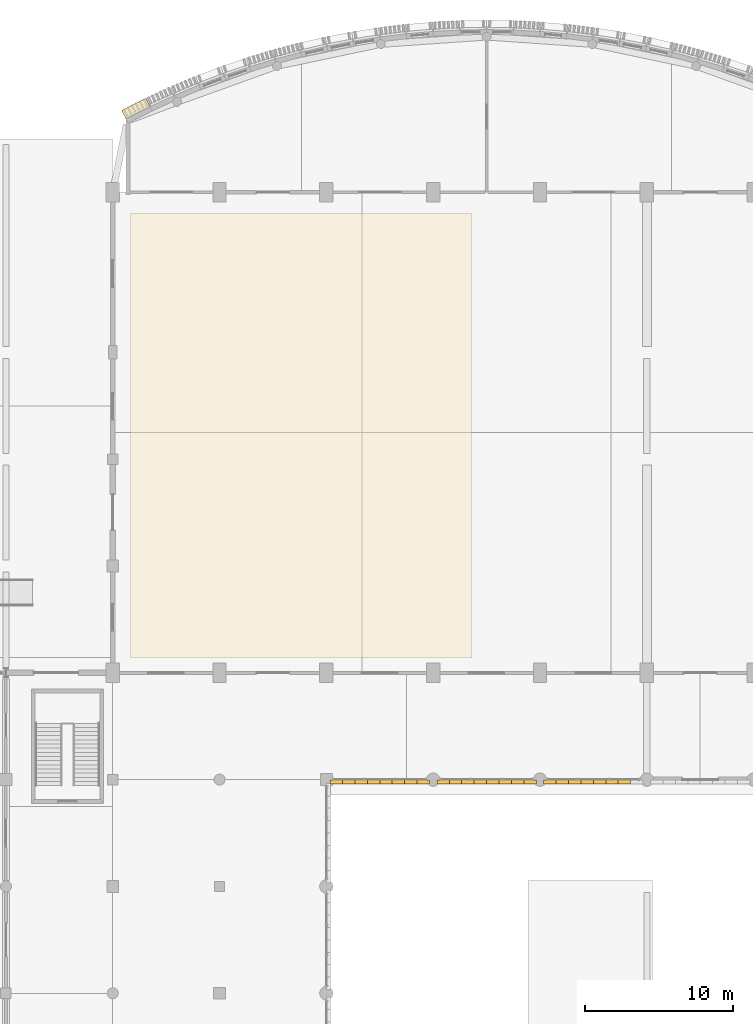
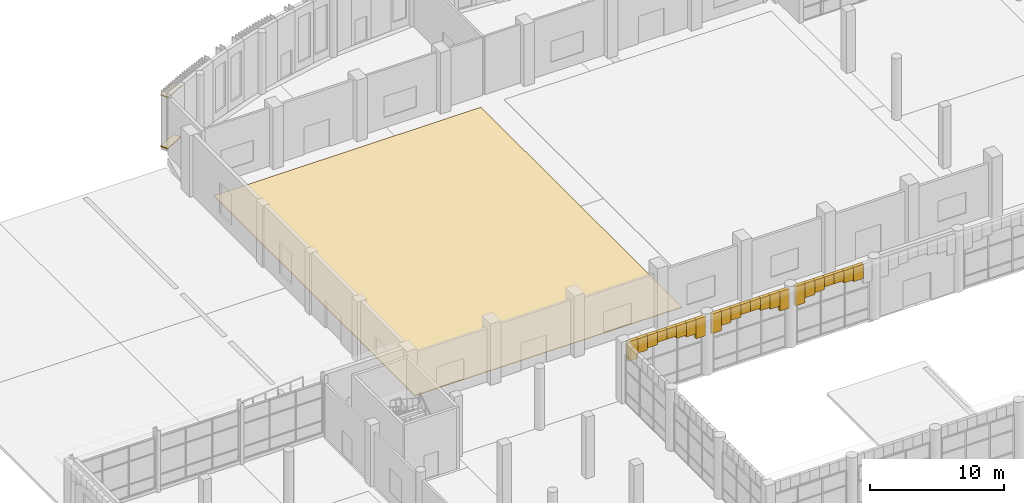
# One storey, part 75 of 85: 26 coverings.
"""IFC4 building model written with IfcOpenShell, lengths in metres."""

from ifc_helpers import new_model, si_unit, direction, frame, frame_2d, origin, origin_2d, place, context, subcontext, project, spatial, polyline, rectangle, outline, extrude, material, layer, layer_set, type_object, element, save


model = new_model("IFC4")

# Units and contexts
model_context = context("Model", 3, precision=1e-05, world=origin(), true_north=direction((0.0, 1.0)))
body_context = subcontext(model_context, "Body", "Model", "MODEL_VIEW")
ifc_project = project(units=[si_unit("LENGTHUNIT", "METRE"), si_unit("AREAUNIT", "SQUARE_METRE"), si_unit("VOLUMEUNIT", "CUBIC_METRE"), si_unit("PLANEANGLEUNIT", "RADIAN"), si_unit("MASSUNIT", "GRAM", prefix="KILO")], contexts=[model_context])

# Site, building, storey
site_placement = place(None, origin())
site = spatial("IfcSite", under=ifc_project, at=site_placement, CompositionType="ELEMENT")
building_placement = place(site_placement, origin())
building = spatial("IfcBuilding", under=site, at=building_placement, Name="Sardonyx Promenade Sports Hall", CompositionType="ELEMENT")
storey_placement = place(building_placement, origin())
storey = spatial("IfcBuildingStorey", under=building, at=storey_placement, Name="L00", CompositionType="ELEMENT", Elevation=0.0)

# Coverings
ifc_material_1 = material(Name="FIBA Grade 1 sprung maple hardwood court flooring", Category="wood")
ifc_layer_1 = layer(ifc_material_1, 0.044921875)
ifc_layer_set_1 = layer_set([ifc_layer_1], Name="Cov_Floor_Maple")
covering_type_1 = type_object("IfcCoveringType", Name="Cov_Floor_Maple", PredefinedType="FLOORING", material=ifc_layer_set_1)
covering_1_placement = place(storey_placement, origin())
element("IfcCovering", 1, at=covering_1_placement, inside=storey, type_object=covering_type_1, Name="Athletic flooring FLR1 L00 #1", PredefinedType="FLOORING", context=body_context, shape_type="SweptSolid", body=[
    extrude(outline(polyline([(30.0, 73.0), (53.0, 73.0), (53.0, 103.0), (30.0, 103.0), (30.0, 73.0)])), origin(), (0.0, 0.0, 1.0), 0.044921875),
])
ifc_material_2 = material(Name="Glulam GL28h", Category="wood")
ifc_layer_2 = layer(ifc_material_2, 0.110107421875)
ifc_layer_set_2 = layer_set([ifc_layer_2], Name="Cov_Louvre_GL28h")
covering_type_2 = type_object("IfcCoveringType", Name="Cov_Louvre_GL28h", PredefinedType="MOLDING", material=ifc_layer_set_2)
for number, where, z_axis, x_axis, name in (
    (2, (30.361083984375, 110.0458984375, 0.5), (0.0, 0.0, 1.0), (0.892773817004, 0.450505173857, 0.0), "Bowed louvre carrier rail L00 CH01 #1"),
    (3, (30.361083984375, 110.0458984375, 5.179931640625), (0.0, 0.0, 1.0), (0.892773817004, 0.450505173857, 0.0), "Bowed louvre carrier rail L00 CH01 #2"),
):
    element("IfcCovering", number, at=place(storey_placement, frame(where, z_axis=z_axis, x_axis=x_axis)), inside=storey, type_object=covering_type_2, Name=name, PredefinedType="MOLDING", context=body_context, shape_type="SweptSolid", body=[
        extrude(rectangle(XDim=1.820068359375, YDim=0.6201171875, at=origin_2d()), origin(), (0.0, 0.0, 1.0), 0.10009765625),
    ])
ifc_material_3 = material(Name="Carved Cape red sandstone ashlar", Category="masonry")
ifc_layer_3 = layer(ifc_material_3, 0.239990234375)
ifc_layer_set_3 = layer_set([ifc_layer_3], Name="Cov_Mughal_Arch")
covering_type_3 = type_object("IfcCoveringType", Name="Cov_Mughal_Arch", PredefinedType="CLADDING", material=ifc_layer_set_3)
covering_2_placement = place(storey_placement, frame((43.449951171875, 64.64990234375, 3.584716796875), z_axis=(0.0, 0.0, 1.0), x_axis=(1.0, 0.0, 0.0)))
element("IfcCovering", 4, at=covering_2_placement, inside=storey, type_object=covering_type_3, Name="Mughal pointed-arch spandrel L00 cov:rq:N:L00:0 #1", PredefinedType="CLADDING", context=body_context, shape_type="SweptSolid", body=[
    extrude(rectangle(XDim=0.837646484375, YDim=0.280029296875, at=frame_2d((0.4189453125, 0.0))), origin(), (0.0, 0.0, 1.0), 1.765380859375),
])
covering_3_placement = place(storey_placement, frame((44.28759765625, 64.64990234375, 4.041748046875), z_axis=(0.0, 0.0, 1.0), x_axis=(1.0, 0.0, 0.0)))
element("IfcCovering", 5, at=covering_3_placement, inside=storey, type_object=covering_type_3, Name="Mughal pointed-arch spandrel L00 cov:rq:N:L00:0 #2", PredefinedType="CLADDING", context=body_context, shape_type="SweptSolid", body=[
    extrude(rectangle(XDim=0.83740234375, YDim=0.280029296875, at=frame_2d((0.418701171875, 0.0))), origin(), (0.0, 0.0, 1.0), 1.308349609375),
])
covering_4_placement = place(storey_placement, frame((45.125, 64.64990234375, 4.212158203125), z_axis=(0.0, 0.0, 1.0), x_axis=(1.0, 0.0, 0.0)))
element("IfcCovering", 6, at=covering_4_placement, inside=storey, type_object=covering_type_3, Name="Mughal pointed-arch spandrel L00 cov:rq:N:L00:0 #3", PredefinedType="CLADDING", context=body_context, shape_type="SweptSolid", body=[
    extrude(rectangle(XDim=0.83740234375, YDim=0.280029296875, at=frame_2d((0.418701171875, 0.0))), origin(), (0.0, 0.0, 1.0), 1.137939453125),
])
covering_5_placement = place(storey_placement, frame((45.96240234375, 64.64990234375, 4.429931640625), z_axis=(0.0, 0.0, 1.0), x_axis=(1.0, 0.0, 0.0)))
element("IfcCovering", 7, at=covering_5_placement, inside=storey, type_object=covering_type_3, Name="Mughal pointed-arch spandrel L00 cov:rq:N:L00:0 #4", PredefinedType="CLADDING", context=body_context, shape_type="SweptSolid", body=[
    extrude(rectangle(XDim=0.837646484375, YDim=0.280029296875, at=frame_2d((0.4189453125, 0.0))), origin(), (0.0, 0.0, 1.0), 0.920166015625),
])
covering_6_placement = place(storey_placement, frame((46.800048828125, 64.64990234375, 4.429931640625), z_axis=(0.0, 0.0, 1.0), x_axis=(1.0, 0.0, 0.0)))
element("IfcCovering", 8, at=covering_6_placement, inside=storey, type_object=covering_type_3, Name="Mughal pointed-arch spandrel L00 cov:rq:N:L00:0 #5", PredefinedType="CLADDING", context=body_context, shape_type="SweptSolid", body=[
    extrude(rectangle(XDim=0.83740234375, YDim=0.280029296875, at=frame_2d((0.418701171875, 0.0))), origin(), (0.0, 0.0, 1.0), 0.920166015625),
])
covering_7_placement = place(storey_placement, frame((47.637451171875, 64.64990234375, 4.212158203125), z_axis=(0.0, 0.0, 1.0), x_axis=(1.0, 0.0, 0.0)))
element("IfcCovering", 9, at=covering_7_placement, inside=storey, type_object=covering_type_3, Name="Mughal pointed-arch spandrel L00 cov:rq:N:L00:0 #6", PredefinedType="CLADDING", context=body_context, shape_type="SweptSolid", body=[
    extrude(rectangle(XDim=0.837646484375, YDim=0.280029296875, at=frame_2d((0.4189453125, 0.0))), origin(), (0.0, 0.0, 1.0), 1.137939453125),
])
covering_8_placement = place(storey_placement, frame((48.47509765625, 64.64990234375, 4.041748046875), z_axis=(0.0, 0.0, 1.0), x_axis=(1.0, 0.0, 0.0)))
element("IfcCovering", 10, at=covering_8_placement, inside=storey, type_object=covering_type_3, Name="Mughal pointed-arch spandrel L00 cov:rq:N:L00:0 #7", PredefinedType="CLADDING", context=body_context, shape_type="SweptSolid", body=[
    extrude(rectangle(XDim=0.83740234375, YDim=0.280029296875, at=frame_2d((0.418701171875, 0.0))), origin(), (0.0, 0.0, 1.0), 1.308349609375),
])
covering_9_placement = place(storey_placement, frame((49.3125, 64.64990234375, 3.584716796875), z_axis=(0.0, 0.0, 1.0), x_axis=(1.0, 0.0, 0.0)))
element("IfcCovering", 11, at=covering_9_placement, inside=storey, type_object=covering_type_3, Name="Mughal pointed-arch spandrel L00 cov:rq:N:L00:0 #8", PredefinedType="CLADDING", context=body_context, shape_type="SweptSolid", body=[
    extrude(rectangle(XDim=0.83740234375, YDim=0.280029296875, at=frame_2d((0.418701171875, 0.0))), origin(), (0.0, 0.0, 1.0), 1.765380859375),
])
covering_10_placement = place(storey_placement, frame((50.64990234375, 64.64990234375, 3.584716796875), z_axis=(0.0, 0.0, 1.0), x_axis=(1.0, 0.0, 0.0)))
element("IfcCovering", 12, at=covering_10_placement, inside=storey, type_object=covering_type_3, Name="Mughal pointed-arch spandrel L00 cov:rq:N:L00:1 #1", PredefinedType="CLADDING", context=body_context, shape_type="SweptSolid", body=[
    extrude(rectangle(XDim=0.837646484375, YDim=0.280029296875, at=frame_2d((0.4189453125, 0.0))), origin(), (0.0, 0.0, 1.0), 1.765380859375),
])
covering_11_placement = place(storey_placement, frame((51.487548828125, 64.64990234375, 4.041748046875), z_axis=(0.0, 0.0, 1.0), x_axis=(1.0, 0.0, 0.0)))
element("IfcCovering", 13, at=covering_11_placement, inside=storey, type_object=covering_type_3, Name="Mughal pointed-arch spandrel L00 cov:rq:N:L00:1 #2", PredefinedType="CLADDING", context=body_context, shape_type="SweptSolid", body=[
    extrude(rectangle(XDim=0.83740234375, YDim=0.280029296875, at=frame_2d((0.418701171875, 0.0))), origin(), (0.0, 0.0, 1.0), 1.308349609375),
])
covering_12_placement = place(storey_placement, frame((52.324951171875, 64.64990234375, 4.212158203125), z_axis=(0.0, 0.0, 1.0), x_axis=(1.0, 0.0, 0.0)))
element("IfcCovering", 14, at=covering_12_placement, inside=storey, type_object=covering_type_3, Name="Mughal pointed-arch spandrel L00 cov:rq:N:L00:1 #3", PredefinedType="CLADDING", context=body_context, shape_type="SweptSolid", body=[
    extrude(rectangle(XDim=0.837646484375, YDim=0.280029296875, at=frame_2d((0.4189453125, 0.0))), origin(), (0.0, 0.0, 1.0), 1.137939453125),
])
for number, where, z_axis, x_axis, name in (
    (15, (53.16259765625, 64.64990234375, 4.429931640625), (0.0, 0.0, 1.0), (1.0, 0.0, 0.0), "Mughal pointed-arch spandrel L00 cov:rq:N:L00:1 #4"),
    (16, (54.0, 64.64990234375, 4.429931640625), (0.0, 0.0, 1.0), (1.0, 0.0, 0.0), "Mughal pointed-arch spandrel L00 cov:rq:N:L00:1 #5"),
):
    element("IfcCovering", number, at=place(storey_placement, frame(where, z_axis=z_axis, x_axis=x_axis)), inside=storey, type_object=covering_type_3, Name=name, PredefinedType="CLADDING", context=body_context, shape_type="SweptSolid", body=[
        extrude(rectangle(XDim=0.83740234375, YDim=0.280029296875, at=frame_2d((0.418701171875, 0.0))), origin(), (0.0, 0.0, 1.0), 0.920166015625),
    ])
covering_13_placement = place(storey_placement, frame((54.83740234375, 64.64990234375, 4.212158203125), z_axis=(0.0, 0.0, 1.0), x_axis=(1.0, 0.0, 0.0)))
element("IfcCovering", 17, at=covering_13_placement, inside=storey, type_object=covering_type_3, Name="Mughal pointed-arch spandrel L00 cov:rq:N:L00:1 #6", PredefinedType="CLADDING", context=body_context, shape_type="SweptSolid", body=[
    extrude(rectangle(XDim=0.837646484375, YDim=0.280029296875, at=frame_2d((0.4189453125, 0.0))), origin(), (0.0, 0.0, 1.0), 1.137939453125),
])
covering_14_placement = place(storey_placement, frame((55.675048828125, 64.64990234375, 4.041748046875), z_axis=(0.0, 0.0, 1.0), x_axis=(1.0, 0.0, 0.0)))
element("IfcCovering", 18, at=covering_14_placement, inside=storey, type_object=covering_type_3, Name="Mughal pointed-arch spandrel L00 cov:rq:N:L00:1 #7", PredefinedType="CLADDING", context=body_context, shape_type="SweptSolid", body=[
    extrude(rectangle(XDim=0.83740234375, YDim=0.280029296875, at=frame_2d((0.418701171875, 0.0))), origin(), (0.0, 0.0, 1.0), 1.308349609375),
])
covering_15_placement = place(storey_placement, frame((56.512451171875, 64.64990234375, 3.584716796875), z_axis=(0.0, 0.0, 1.0), x_axis=(1.0, 0.0, 0.0)))
element("IfcCovering", 19, at=covering_15_placement, inside=storey, type_object=covering_type_3, Name="Mughal pointed-arch spandrel L00 cov:rq:N:L00:1 #8", PredefinedType="CLADDING", context=body_context, shape_type="SweptSolid", body=[
    extrude(rectangle(XDim=0.837646484375, YDim=0.280029296875, at=frame_2d((0.4189453125, 0.0))), origin(), (0.0, 0.0, 1.0), 1.765380859375),
])
covering_16_placement = place(storey_placement, frame((57.85009765625, 64.64990234375, 3.584716796875), z_axis=(0.0, 0.0, 1.0), x_axis=(1.0, 0.0, 0.0)))
element("IfcCovering", 20, at=covering_16_placement, inside=storey, type_object=covering_type_3, Name="Mughal pointed-arch spandrel L00 cov:rq:N:L00:2 #1", PredefinedType="CLADDING", context=body_context, shape_type="SweptSolid", body=[
    extrude(rectangle(XDim=0.83740234375, YDim=0.280029296875, at=frame_2d((0.418701171875, 0.0))), origin(), (0.0, 0.0, 1.0), 1.765380859375),
])
covering_17_placement = place(storey_placement, frame((58.6875, 64.64990234375, 4.041748046875), z_axis=(0.0, 0.0, 1.0), x_axis=(1.0, 0.0, 0.0)))
element("IfcCovering", 21, at=covering_17_placement, inside=storey, type_object=covering_type_3, Name="Mughal pointed-arch spandrel L00 cov:rq:N:L00:2 #2", PredefinedType="CLADDING", context=body_context, shape_type="SweptSolid", body=[
    extrude(rectangle(XDim=0.83740234375, YDim=0.280029296875, at=frame_2d((0.418701171875, 0.0))), origin(), (0.0, 0.0, 1.0), 1.308349609375),
])
covering_18_placement = place(storey_placement, frame((59.52490234375, 64.64990234375, 4.212158203125), z_axis=(0.0, 0.0, 1.0), x_axis=(1.0, 0.0, 0.0)))
element("IfcCovering", 22, at=covering_18_placement, inside=storey, type_object=covering_type_3, Name="Mughal pointed-arch spandrel L00 cov:rq:N:L00:2 #3", PredefinedType="CLADDING", context=body_context, shape_type="SweptSolid", body=[
    extrude(rectangle(XDim=0.837646484375, YDim=0.280029296875, at=frame_2d((0.4189453125, 0.0))), origin(), (0.0, 0.0, 1.0), 1.137939453125),
])
covering_19_placement = place(storey_placement, frame((60.362548828125, 64.64990234375, 4.429931640625), z_axis=(0.0, 0.0, 1.0), x_axis=(1.0, 0.0, 0.0)))
element("IfcCovering", 23, at=covering_19_placement, inside=storey, type_object=covering_type_3, Name="Mughal pointed-arch spandrel L00 cov:rq:N:L00:2 #4", PredefinedType="CLADDING", context=body_context, shape_type="SweptSolid", body=[
    extrude(rectangle(XDim=0.83740234375, YDim=0.280029296875, at=frame_2d((0.418701171875, 0.0))), origin(), (0.0, 0.0, 1.0), 0.920166015625),
])
covering_20_placement = place(storey_placement, frame((61.199951171875, 64.64990234375, 4.429931640625), z_axis=(0.0, 0.0, 1.0), x_axis=(1.0, 0.0, 0.0)))
element("IfcCovering", 24, at=covering_20_placement, inside=storey, type_object=covering_type_3, Name="Mughal pointed-arch spandrel L00 cov:rq:N:L00:2 #5", PredefinedType="CLADDING", context=body_context, shape_type="SweptSolid", body=[
    extrude(rectangle(XDim=0.837646484375, YDim=0.280029296875, at=frame_2d((0.4189453125, 0.0))), origin(), (0.0, 0.0, 1.0), 0.920166015625),
])
covering_21_placement = place(storey_placement, frame((62.03759765625, 64.64990234375, 4.212158203125), z_axis=(0.0, 0.0, 1.0), x_axis=(1.0, 0.0, 0.0)))
element("IfcCovering", 25, at=covering_21_placement, inside=storey, type_object=covering_type_3, Name="Mughal pointed-arch spandrel L00 cov:rq:N:L00:2 #6", PredefinedType="CLADDING", context=body_context, shape_type="SweptSolid", body=[
    extrude(rectangle(XDim=0.83740234375, YDim=0.280029296875, at=frame_2d((0.418701171875, 0.0))), origin(), (0.0, 0.0, 1.0), 1.137939453125),
])
covering_22_placement = place(storey_placement, frame((62.875, 64.64990234375, 4.041748046875), z_axis=(0.0, 0.0, 1.0), x_axis=(1.0, 0.0, 0.0)))
element("IfcCovering", 26, at=covering_22_placement, inside=storey, type_object=covering_type_3, Name="Mughal pointed-arch spandrel L00 cov:rq:N:L00:2 #7", PredefinedType="CLADDING", context=body_context, shape_type="SweptSolid", body=[
    extrude(rectangle(XDim=0.83740234375, YDim=0.280029296875, at=frame_2d((0.418701171875, 0.0))), origin(), (0.0, 0.0, 1.0), 1.308349609375),
])

save(model, "model.ifc")
